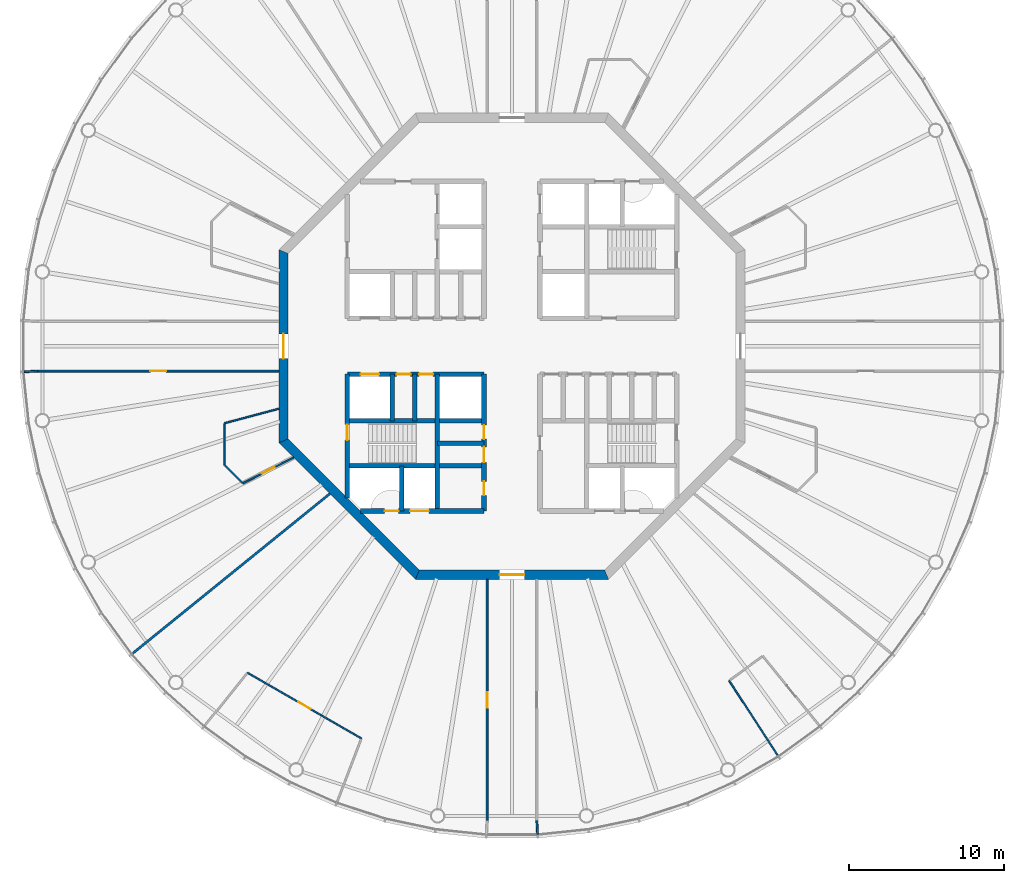
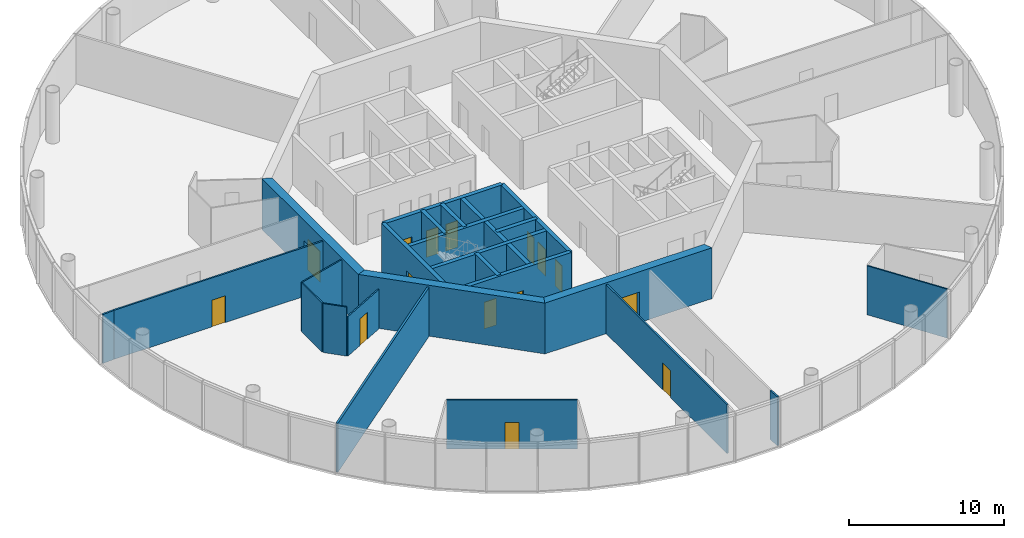
# One storey, part 3 of 13: 25 walls, 15 doors, 15 openings.
"""IFC4 building model written with IfcOpenShell, lengths in metres."""

from ifc_helpers import new_model, si_unit, direction, frame, frame_2d, origin, place, context, subcontext, project, spatial, polyline, rectangle, outline, extrude, material, layer, layer_set, type_object, element, fill, save


model = new_model("IFC4")

# Units and contexts
model_context = context("Model", 3, precision=1e-05, world=origin(), true_north=direction((0.0, 1.0)))
body_context = subcontext(model_context, "Body", "Model", "MODEL_VIEW")
ifc_project = project(units=[si_unit("LENGTHUNIT", "METRE"), si_unit("AREAUNIT", "SQUARE_METRE"), si_unit("VOLUMEUNIT", "CUBIC_METRE"), si_unit("PLANEANGLEUNIT", "RADIAN"), si_unit("MASSUNIT", "GRAM", prefix="KILO")], contexts=[model_context])

# Site, building, storey
site_placement = place(None, origin())
site = spatial("IfcSite", under=ifc_project, at=site_placement, CompositionType="ELEMENT")
building_placement = place(site_placement, origin())
building = spatial("IfcBuilding", under=site, at=building_placement, Name="Entoto Ring Tower", CompositionType="ELEMENT")
storey_placement = place(building_placement, frame((0.0, 0.0, 344.0)))
storey = spatial("IfcBuildingStorey", under=building, at=storey_placement, Name="L79", CompositionType="ELEMENT", Elevation=344.0)

# Wall, openings, doors
ifc_material_1 = material(Name="Concrete C40/50", Category="concrete")
ifc_layer_1 = layer(ifc_material_1, 0.300048828125)
ifc_layer_set_1 = layer_set([ifc_layer_1], Name="Concrete C40/50")
wall_type_1 = type_object("IfcWallType", Name="Core enclosure wall 300 mm reinforced concrete", PredefinedType="SOLIDWALL", material=ifc_layer_set_1)
wall_1_placement = place(storey_placement, frame((88.199951171875, 69.39990234375, 0.0), z_axis=(0.0, 0.0, 1.0), x_axis=(0.0, 1.0, 0.0)))
wall_1 = element("IfcWall", 1, at=wall_1_placement, inside=storey, type_object=wall_type_1, Name="wall-L79-013", PredefinedType="SOLIDWALL", context=body_context, shape_type="SweptSolid", body=[
    extrude(rectangle(XDim=8.800048828125, YDim=0.300048828125, at=frame_2d((4.39990234375, 0.0))), origin(), (0.0, 0.0, 1.0), 3.85009765625),
])
opening_1_placement = place(wall_1_placement, frame((3.125, 0.0, 0.0)))
opening_1 = element("IfcOpeningElement", 2, at=opening_1_placement, cuts=wall_1, Name="Opening K-70", PredefinedType="OPENING", context=body_context, shape_type="SweptSolid", body=[
    extrude(rectangle(XDim=1.0, YDim=2.10009765625, at=frame_2d((0.5, 1.050048828125))), frame((0.0, 0.16015625, 0.0), z_axis=(0.0, -1.0, 0.0), x_axis=(1.0, 0.0, 0.0)), (0.0, 0.0, 1.0), 0.320068359375),
])
opening_2_placement = place(wall_1_placement, frame((4.625, 0.0, 0.0)))
opening_2 = element("IfcOpeningElement", 3, at=opening_2_placement, cuts=wall_1, Name="Opening K-71", PredefinedType="OPENING", context=body_context, shape_type="SweptSolid", body=[
    extrude(rectangle(XDim=0.89990234375, YDim=2.10009765625, at=frame_2d((0.449951171875, 1.050048828125))), frame((0.0, 0.16015625, 0.0), z_axis=(0.0, -1.0, 0.0), x_axis=(1.0, 0.0, 0.0)), (0.0, 0.0, 1.0), 0.320068359375),
])
opening_3_placement = place(wall_1_placement, frame((1.0, 0.0, 0.0)))
opening_3 = element("IfcOpeningElement", 4, at=opening_3_placement, cuts=wall_1, Name="Opening K-24", PredefinedType="OPENING", context=body_context, shape_type="SweptSolid", body=[
    extrude(rectangle(XDim=0.89990234375, YDim=2.10009765625, at=frame_2d((0.449951171875, 1.050048828125))), frame((0.0, 0.16015625, 0.0), z_axis=(0.0, -1.0, 0.0), x_axis=(1.0, 0.0, 0.0)), (0.0, 0.0, 1.0), 0.320068359375),
])
ifc_material_2 = material(Name="Steel door leaf, fire rated", Category="steel")
ifc_layer_2 = layer(ifc_material_2, 0.050048828125)
ifc_layer_set_2 = layer_set([ifc_layer_2], Name="Steel door leaf, fire rated")
door_type_1 = type_object("IfcDoorType", Name="Accessible door 1000 x 2100 single leaf", OperationType="NOTDEFINED", PredefinedType="DOOR", material=ifc_layer_set_2)
door_1_placement = place(opening_1_placement, origin())
door_1 = element("IfcDoor", 5, at=door_1_placement, inside=storey, type_object=door_type_1, Name="Door K-70", OperationType="SINGLE_SWING_RIGHT", OverallHeight=2.10009765625, OverallWidth=1.0, PredefinedType="DOOR", context=body_context, shape_type="SweptSolid", body=[
    extrude(rectangle(XDim=1.0, YDim=2.10009765625, at=frame_2d((0.5, 1.050048828125))), frame((0.0, 0.02490234375, 0.0), z_axis=(0.0, -1.0, 0.0), x_axis=(1.0, 0.0, 0.0)), (0.0, 0.0, 1.0), 0.050048828125),
])
fill(opening_1, door_1)
ifc_material_3 = material(Name="Steel door leaf, fire rated", Category="steel")
ifc_layer_3 = layer(ifc_material_3, 0.050048828125)
ifc_layer_set_3 = layer_set([ifc_layer_3], Name="Steel door leaf, fire rated")
door_type_2 = type_object("IfcDoorType", Name="Core door 900 x 2100 single leaf", OperationType="NOTDEFINED", PredefinedType="DOOR", material=ifc_layer_set_3)
door_2_placement = place(opening_2_placement, origin())
door_2 = element("IfcDoor", 6, at=door_2_placement, inside=storey, type_object=door_type_2, Name="Door K-71", OperationType="SINGLE_SWING_RIGHT", OverallHeight=2.10009765625, OverallWidth=0.89990234375, PredefinedType="DOOR", context=body_context, shape_type="SweptSolid", body=[
    extrude(rectangle(XDim=0.89990234375, YDim=2.10009765625, at=frame_2d((0.449951171875, 1.050048828125))), frame((0.0, 0.02490234375, 0.0), z_axis=(0.0, -1.0, 0.0), x_axis=(1.0, 0.0, 0.0)), (0.0, 0.0, 1.0), 0.050048828125),
])
fill(opening_2, door_2)
door_3_placement = place(opening_3_placement, origin())
door_3 = element("IfcDoor", 7, at=door_3_placement, inside=storey, type_object=door_type_2, Name="Door K-24", OperationType="SINGLE_SWING_RIGHT", OverallHeight=2.10009765625, OverallWidth=0.89990234375, PredefinedType="DOOR", context=body_context, shape_type="SweptSolid", body=[
    extrude(rectangle(XDim=0.89990234375, YDim=2.10009765625, at=frame_2d((0.449951171875, 1.050048828125))), frame((0.0, 0.02490234375, 0.0), z_axis=(0.0, -1.0, 0.0), x_axis=(1.0, 0.0, 0.0)), (0.0, 0.0, 1.0), 0.050048828125),
])
fill(opening_3, door_3)

# Walls
wall_2_placement = place(storey_placement, frame((85.199951171875, 69.39990234375, 0.0), z_axis=(0.0, 0.0, 1.0), x_axis=(0.0, 1.0, 0.0)))
element("IfcWall", 8, at=wall_2_placement, inside=storey, type_object=wall_type_1, Name="wall-L79-016", PredefinedType="SOLIDWALL", context=body_context, shape_type="SweptSolid", body=[
    extrude(rectangle(XDim=8.800048828125, YDim=0.300048828125, at=frame_2d((4.39990234375, 0.0))), origin(), (0.0, 0.0, 1.0), 3.85009765625),
])
wall_3_placement = place(storey_placement, frame((83.75, 75.199951171875, 0.0), z_axis=(0.0, 0.0, 1.0), x_axis=(0.0, 1.0, 0.0)))
element("IfcWall", 9, at=wall_3_placement, inside=storey, type_object=wall_type_1, Name="wall-L79-018", PredefinedType="SOLIDWALL", context=body_context, shape_type="SweptSolid", body=[
    extrude(rectangle(XDim=3.0, YDim=0.300048828125, at=frame_2d((1.5, 0.0))), origin(), (0.0, 0.0, 1.0), 3.85009765625),
])
wall_4_placement = place(storey_placement, frame((82.89990234375, 69.39990234375, 0.0), z_axis=(0.0, 0.0, 1.0), x_axis=(0.0, 1.0, 0.0)))
element("IfcWall", 10, at=wall_4_placement, inside=storey, type_object=wall_type_1, Name="wall-L79-020", PredefinedType="SOLIDWALL", context=body_context, shape_type="SweptSolid", body=[
    extrude(rectangle(XDim=2.900146484375, YDim=0.300048828125, at=frame_2d((1.4501953125, 0.0))), origin(), (0.0, 0.0, 1.0), 3.85009765625),
])
wall_5_placement = place(storey_placement, frame((82.300048828125, 75.199951171875, 0.0), z_axis=(0.0, 0.0, 1.0), x_axis=(0.0, 1.0, 0.0)))
element("IfcWall", 11, at=wall_5_placement, inside=storey, type_object=wall_type_1, Name="wall-L79-021", PredefinedType="SOLIDWALL", context=body_context, shape_type="SweptSolid", body=[
    extrude(rectangle(XDim=3.0, YDim=0.300048828125, at=frame_2d((1.5, 0.0))), origin(), (0.0, 0.0, 1.0), 3.85009765625),
])

# Wall, opening, door
wall_6_placement = place(storey_placement, frame((79.39990234375, 70.2353515625, 0.0), z_axis=(0.0, 0.0, 1.0), x_axis=(0.0, 1.0, 0.0)))
wall_6 = element("IfcWall", 12, at=wall_6_placement, inside=storey, type_object=wall_type_1, Name="wall-L79-023", PredefinedType="SOLIDWALL", context=body_context, shape_type="SweptSolid", body=[
    extrude(rectangle(XDim=7.964599609375, YDim=0.300048828125, at=frame_2d((3.982421875, 0.0))), origin(), (0.0, 0.0, 1.0), 3.85009765625),
])
opening_4_placement = place(wall_6_placement, frame((3.714599609375, 0.0, 0.0)))
opening_4 = element("IfcOpeningElement", 13, at=opening_4_placement, cuts=wall_6, Name="Opening K-30", PredefinedType="OPENING", context=body_context, shape_type="SweptSolid", body=[
    extrude(rectangle(XDim=1.0, YDim=2.10009765625, at=frame_2d((0.5, 1.050048828125))), frame((0.0, 0.16015625, 0.0), z_axis=(0.0, -1.0, 0.0), x_axis=(1.0, 0.0, 0.0)), (0.0, 0.0, 1.0), 0.320068359375),
])
ifc_material_4 = material(Name="Steel door leaf, fire rated", Category="steel")
ifc_layer_4 = layer(ifc_material_4, 0.050048828125)
ifc_layer_set_4 = layer_set([ifc_layer_4], Name="Steel door leaf, fire rated")
door_type_3 = type_object("IfcDoorType", Name="Fire door FD60 1000 x 2100 single leaf", OperationType="NOTDEFINED", PredefinedType="DOOR", material=ifc_layer_set_4)
door_4_placement = place(opening_4_placement, frame((1.0, 0.0, 0.0), z_axis=(0.0, 0.0, 1.0), x_axis=(-1.0, 0.0, 0.0)))
door_4 = element("IfcDoor", 14, at=door_4_placement, inside=storey, type_object=door_type_3, Name="Door K-30", OperationType="SINGLE_SWING_LEFT", OverallHeight=2.10009765625, OverallWidth=1.0, PredefinedType="DOOR", context=body_context, shape_type="SweptSolid", body=[
    extrude(rectangle(XDim=1.0, YDim=2.10009765625, at=frame_2d((0.5, 1.050048828125))), frame((0.0, 0.02490234375, 0.0), z_axis=(0.0, -1.0, 0.0), x_axis=(1.0, 0.0, 0.0)), (0.0, 0.0, 1.0), 0.050048828125),
])
fill(opening_4, door_4)

# Wall, openings, doors
wall_7_placement = place(storey_placement, frame((80.2353515625, 69.39990234375, 0.0), z_axis=(0.0, 0.0, 1.0), x_axis=(1.0, 0.0, 0.0)))
wall_7 = element("IfcWall", 15, at=wall_7_placement, inside=storey, type_object=wall_type_1, Name="wall-L79-025", PredefinedType="SOLIDWALL", context=body_context, shape_type="SweptSolid", body=[
    extrude(rectangle(XDim=7.964599609375, YDim=0.300048828125, at=frame_2d((3.982421875, 0.0))), origin(), (0.0, 0.0, 1.0), 3.85009765625),
])
opening_5_placement = place(wall_7_placement, frame((3.214599609375, 0.0, 0.0)))
opening_5 = element("IfcOpeningElement", 16, at=opening_5_placement, cuts=wall_7, Name="Opening LD", PredefinedType="OPENING", context=body_context, shape_type="SweptSolid", body=[
    extrude(rectangle(XDim=1.199951171875, YDim=2.10009765625, at=frame_2d((0.60009765625, 1.050048828125))), frame((0.0, 0.16015625, 0.0), z_axis=(0.0, -1.0, 0.0), x_axis=(1.0, 0.0, 0.0)), (0.0, 0.0, 1.0), 0.320068359375),
])
opening_6_placement = place(wall_7_placement, frame((1.564697265625, 0.0, 0.0)))
opening_6 = element("IfcOpeningElement", 17, at=opening_6_placement, cuts=wall_7, Name="Opening K-33", PredefinedType="OPENING", context=body_context, shape_type="SweptSolid", body=[
    extrude(rectangle(XDim=0.89990234375, YDim=2.10009765625, at=frame_2d((0.449951171875, 1.050048828125))), frame((0.0, 0.16015625, 0.0), z_axis=(0.0, -1.0, 0.0), x_axis=(1.0, 0.0, 0.0)), (0.0, 0.0, 1.0), 0.320068359375),
])
ifc_material_5 = material(Name="Steel and glass door leaf", Category="steel")
ifc_layer_5 = layer(ifc_material_5, 0.050048828125)
ifc_layer_set_5 = layer_set([ifc_layer_5], Name="Steel and glass door leaf")
door_type_4 = type_object("IfcDoorType", Name="Landing door 1200 x 2100 sliding", OperationType="DOUBLE_DOOR_SLIDING", PredefinedType="DOOR", material=ifc_layer_set_5)
door_5_placement = place(opening_5_placement, origin())
door_5 = element("IfcDoor", 18, at=door_5_placement, inside=storey, type_object=door_type_4, Name="Landing door LB3-HR", OperationType="SLIDING_TO_RIGHT", OverallHeight=2.10009765625, OverallWidth=1.199951171875, PredefinedType="DOOR", context=body_context, shape_type="SweptSolid", body=[
    extrude(rectangle(XDim=1.199951171875, YDim=2.10009765625, at=frame_2d((0.60009765625, 1.050048828125))), frame((0.0, 0.02490234375, 0.0), z_axis=(0.0, -1.0, 0.0), x_axis=(1.0, 0.0, 0.0)), (0.0, 0.0, 1.0), 0.050048828125),
])
fill(opening_5, door_5)
ifc_material_6 = material(Name="Steel door leaf, fire rated", Category="steel")
ifc_layer_6 = layer(ifc_material_6, 0.050048828125)
ifc_layer_set_6 = layer_set([ifc_layer_6], Name="Steel door leaf, fire rated")
door_type_5 = type_object("IfcDoorType", Name="Riser door FD60 900 x 2100 single leaf", OperationType="NOTDEFINED", PredefinedType="DOOR", material=ifc_layer_set_6)
door_6_placement = place(opening_6_placement, origin())
door_6 = element("IfcDoor", 19, at=door_6_placement, inside=storey, type_object=door_type_5, Name="Door K-33", OperationType="SINGLE_SWING_RIGHT", OverallHeight=2.10009765625, OverallWidth=0.89990234375, PredefinedType="DOOR", context=body_context, shape_type="SweptSolid", body=[
    extrude(rectangle(XDim=0.89990234375, YDim=2.10009765625, at=frame_2d((0.449951171875, 1.050048828125))), frame((0.0, 0.02490234375, 0.0), z_axis=(0.0, -1.0, 0.0), x_axis=(1.0, 0.0, 0.0)), (0.0, 0.0, 1.0), 0.050048828125),
])
fill(opening_6, door_6)

# Walls
wall_8_placement = place(storey_placement, frame((79.39990234375, 72.300048828125, 0.0), z_axis=(0.0, 0.0, 1.0), x_axis=(1.0, 0.0, 0.0)))
element("IfcWall", 20, at=wall_8_placement, inside=storey, type_object=wall_type_1, Name="wall-L79-027", PredefinedType="SOLIDWALL", context=body_context, shape_type="SweptSolid", body=[
    extrude(rectangle(XDim=8.800048828125, YDim=0.300048828125, at=frame_2d((4.39990234375, 0.0))), origin(), (0.0, 0.0, 1.0), 3.85009765625),
])
wall_9_placement = place(storey_placement, frame((85.199951171875, 73.75, 0.0), z_axis=(0.0, 0.0, 1.0), x_axis=(1.0, 0.0, 0.0)))
element("IfcWall", 21, at=wall_9_placement, inside=storey, type_object=wall_type_1, Name="wall-L79-029", PredefinedType="SOLIDWALL", context=body_context, shape_type="SweptSolid", body=[
    extrude(rectangle(XDim=3.0, YDim=0.300048828125, at=frame_2d((1.5, 0.0))), origin(), (0.0, 0.0, 1.0), 3.85009765625),
])
wall_10_placement = place(storey_placement, frame((79.39990234375, 75.199951171875, 0.0), z_axis=(0.0, 0.0, 1.0), x_axis=(1.0, 0.0, 0.0)))
element("IfcWall", 22, at=wall_10_placement, inside=storey, type_object=wall_type_1, Name="wall-L79-030", PredefinedType="SOLIDWALL", context=body_context, shape_type="SweptSolid", body=[
    extrude(rectangle(XDim=8.800048828125, YDim=0.300048828125, at=frame_2d((4.39990234375, 0.0))), origin(), (0.0, 0.0, 1.0), 3.85009765625),
])

# Wall, openings, doors
wall_11_placement = place(storey_placement, frame((79.39990234375, 78.199951171875, 0.0), z_axis=(0.0, 0.0, 1.0), x_axis=(1.0, 0.0, 0.0)))
wall_11 = element("IfcWall", 23, at=wall_11_placement, inside=storey, type_object=wall_type_1, Name="wall-L79-032", PredefinedType="SOLIDWALL", context=body_context, shape_type="SweptSolid", body=[
    extrude(rectangle(XDim=8.800048828125, YDim=0.300048828125, at=frame_2d((4.39990234375, 0.0))), origin(), (0.0, 0.0, 1.0), 3.85009765625),
])
opening_7_placement = place(wall_11_placement, frame((0.85009765625, 0.0, 0.0)))
opening_7 = element("IfcOpeningElement", 24, at=opening_7_placement, cuts=wall_11, Name="Opening LD", PredefinedType="OPENING", context=body_context, shape_type="SweptSolid", body=[
    extrude(rectangle(XDim=1.199951171875, YDim=2.10009765625, at=frame_2d((0.60009765625, 1.050048828125))), frame((0.0, 0.16015625, 0.0), z_axis=(0.0, -1.0, 0.0), x_axis=(1.0, 0.0, 0.0)), (0.0, 0.0, 1.0), 0.320068359375),
])
opening_8_placement = place(wall_11_placement, frame((3.175048828125, 0.0, 0.0)))
opening_8 = element("IfcOpeningElement", 25, at=opening_8_placement, cuts=wall_11, Name="Opening K-18", PredefinedType="OPENING", context=body_context, shape_type="SweptSolid", body=[
    extrude(rectangle(XDim=0.89990234375, YDim=2.10009765625, at=frame_2d((0.449951171875, 1.050048828125))), frame((0.0, 0.16015625, 0.0), z_axis=(0.0, -1.0, 0.0), x_axis=(1.0, 0.0, 0.0)), (0.0, 0.0, 1.0), 0.320068359375),
])
opening_9_placement = place(wall_11_placement, frame((4.625, 0.0, 0.0)))
opening_9 = element("IfcOpeningElement", 26, at=opening_9_placement, cuts=wall_11, Name="Opening K-19", PredefinedType="OPENING", context=body_context, shape_type="SweptSolid", body=[
    extrude(rectangle(XDim=0.89990234375, YDim=2.10009765625, at=frame_2d((0.449951171875, 1.050048828125))), frame((0.0, 0.16015625, 0.0), z_axis=(0.0, -1.0, 0.0), x_axis=(1.0, 0.0, 0.0)), (0.0, 0.0, 1.0), 0.320068359375),
])
door_7_placement = place(opening_8_placement, frame((0.89990234375, 0.0, 0.0), z_axis=(0.0, 0.0, 1.0), x_axis=(-1.0, 0.0, 0.0)))
door_7 = element("IfcDoor", 27, at=door_7_placement, inside=storey, type_object=door_type_2, Name="Door K-18", OperationType="SINGLE_SWING_LEFT", OverallHeight=2.10009765625, OverallWidth=0.89990234375, PredefinedType="DOOR", context=body_context, shape_type="SweptSolid", body=[
    extrude(rectangle(XDim=0.89990234375, YDim=2.10009765625, at=frame_2d((0.449951171875, 1.050048828125))), frame((0.0, 0.02490234375, 0.0), z_axis=(0.0, -1.0, 0.0), x_axis=(1.0, 0.0, 0.0)), (0.0, 0.0, 1.0), 0.050048828125),
])
fill(opening_8, door_7)
door_8_placement = place(opening_9_placement, frame((0.89990234375, 0.0, 0.0), z_axis=(0.0, 0.0, 1.0), x_axis=(-1.0, 0.0, 0.0)))
door_8 = element("IfcDoor", 28, at=door_8_placement, inside=storey, type_object=door_type_2, Name="Door K-19", OperationType="SINGLE_SWING_LEFT", OverallHeight=2.10009765625, OverallWidth=0.89990234375, PredefinedType="DOOR", context=body_context, shape_type="SweptSolid", body=[
    extrude(rectangle(XDim=0.89990234375, YDim=2.10009765625, at=frame_2d((0.449951171875, 1.050048828125))), frame((0.0, 0.02490234375, 0.0), z_axis=(0.0, -1.0, 0.0), x_axis=(1.0, 0.0, 0.0)), (0.0, 0.0, 1.0), 0.050048828125),
])
fill(opening_9, door_8)
door_9_placement = place(opening_7_placement, origin())
door_9 = element("IfcDoor", 29, at=door_9_placement, inside=storey, type_object=door_type_4, Name="Landing door SH2", OperationType="SLIDING_TO_RIGHT", OverallHeight=2.10009765625, OverallWidth=1.199951171875, PredefinedType="DOOR", context=body_context, shape_type="SweptSolid", body=[
    extrude(rectangle(XDim=1.199951171875, YDim=2.10009765625, at=frame_2d((0.60009765625, 1.050048828125))), frame((0.0, 0.02490234375, 0.0), z_axis=(0.0, -1.0, 0.0), x_axis=(1.0, 0.0, 0.0)), (0.0, 0.0, 1.0), 0.050048828125),
])
fill(opening_7, door_9)

# Wall, opening, door
ifc_material_7 = material(Name="Concrete C40/50", Category="concrete")
ifc_layer_7 = layer(ifc_material_7, 0.60009765625)
ifc_layer_set_7 = layer_set([ifc_layer_7], Name="Concrete C40/50")
wall_type_2 = type_object("IfcWallType", Name="Core shear wall 600 mm reinforced concrete C40/50", PredefinedType="SHEAR", material=ifc_layer_set_7)
wall_12_placement = place(storey_placement, frame((75.300048828125, 86.0888671875, 0.0), z_axis=(0.0, 0.0, 1.0), x_axis=(0.0, -1.0, 0.0)))
wall_12 = element("IfcWall", 30, at=wall_12_placement, inside=storey, type_object=wall_type_2, Name="wall-L79-core-4", PredefinedType="SHEAR", context=body_context, shape_type="SweptSolid", body=[
    extrude(outline(polyline([(-0.124267578125, -0.300048828125), (12.302001953125, -0.300048828125), (12.053466796875, 0.300048828125), (0.124267578125, 0.300048828125), (-0.124267578125, -0.300048828125)])), origin(), (0.0, 0.0, 1.0), 4.0),
])
opening_10_placement = place(wall_12_placement, frame((5.288818359375, 0.0, 0.0)))
opening_10 = element("IfcOpeningElement", 31, at=opening_10_placement, cuts=wall_12, Name="Opening K-03", PredefinedType="OPENING", context=body_context, shape_type="SweptSolid", body=[
    extrude(rectangle(XDim=1.60009765625, YDim=2.39990234375, at=frame_2d((0.800048828125, 1.199951171875))), frame((0.0, 0.31005859375, 0.0), z_axis=(0.0, -1.0, 0.0), x_axis=(1.0, 0.0, 0.0)), (0.0, 0.0, 1.0), 0.6201171875),
])
ifc_material_8 = material(Name="Steel door leaf, fire rated", Category="steel")
ifc_layer_8 = layer(ifc_material_8, 0.050048828125)
ifc_layer_set_8 = layer_set([ifc_layer_8], Name="Steel door leaf, fire rated")
door_type_6 = type_object("IfcDoorType", Name="Entrance door FD60 1600 x 2400 double leaf", OperationType="DOUBLE_DOOR_SINGLE_SWING", PredefinedType="DOOR", material=ifc_layer_set_8)
door_10_placement = place(opening_10_placement, origin())
door_10 = element("IfcDoor", 32, at=door_10_placement, inside=storey, type_object=door_type_6, Name="Entrance door K-03", OperationType="DOUBLE_DOOR_SINGLE_SWING", OverallHeight=2.39990234375, OverallWidth=1.60009765625, PredefinedType="DOOR", context=body_context, shape_type="SweptSolid", body=[
    extrude(rectangle(XDim=1.60009765625, YDim=2.39990234375, at=frame_2d((0.800048828125, 1.199951171875))), frame((0.0, 0.02490234375, 0.0), z_axis=(0.0, -1.0, 0.0), x_axis=(1.0, 0.0, 0.0)), (0.0, 0.0, 1.0), 0.050048828125),
])
fill(opening_10, door_10)

# Wall
wall_13_placement = place(storey_placement, frame((75.300048828125, 73.9111328125, 0.0), z_axis=(0.0, 0.0, 1.0), x_axis=(0.707106781187, -0.707106781187, 0.0)))
element("IfcWall", 33, at=wall_13_placement, inside=storey, type_object=wall_type_2, Name="wall-L79-core-5", PredefinedType="SHEAR", context=body_context, shape_type="SweptSolid", body=[
    extrude(outline(polyline([(-0.124267578125, -0.300048828125), (12.30224609375, -0.300048828125), (12.0537109375, 0.300048828125), (0.124267578125, 0.300048828125), (-0.124267578125, -0.300048828125)])), origin(), (0.0, 0.0, 1.0), 4.0),
])

# Wall, opening, door
wall_14_placement = place(storey_placement, frame((83.9111328125, 65.300048828125, 0.0), z_axis=(0.0, 0.0, 1.0), x_axis=(1.0, 0.0, 0.0)))
wall_14 = element("IfcWall", 34, at=wall_14_placement, inside=storey, type_object=wall_type_2, Name="wall-L79-core-6", PredefinedType="SHEAR", context=body_context, shape_type="SweptSolid", body=[
    extrude(outline(polyline([(-0.124267578125, -0.300048828125), (12.302001953125, -0.300048828125), (12.053466796875, 0.300048828125), (0.124267578125, 0.300048828125), (-0.124267578125, -0.300048828125)])), origin(), (0.0, 0.0, 1.0), 4.0),
])
opening_11_placement = place(wall_14_placement, frame((5.288818359375, 0.0, 0.0)))
opening_11 = element("IfcOpeningElement", 35, at=opening_11_placement, cuts=wall_14, Name="Opening K-04", PredefinedType="OPENING", context=body_context, shape_type="SweptSolid", body=[
    extrude(rectangle(XDim=1.60009765625, YDim=2.39990234375, at=frame_2d((0.800048828125, 1.199951171875))), frame((0.0, 0.31005859375, 0.0), z_axis=(0.0, -1.0, 0.0), x_axis=(1.0, 0.0, 0.0)), (0.0, 0.0, 1.0), 0.6201171875),
])
door_11_placement = place(opening_11_placement, origin())
door_11 = element("IfcDoor", 36, at=door_11_placement, inside=storey, type_object=door_type_6, Name="Entrance door K-04", OperationType="DOUBLE_DOOR_SINGLE_SWING", OverallHeight=2.39990234375, OverallWidth=1.60009765625, PredefinedType="DOOR", context=body_context, shape_type="SweptSolid", body=[
    extrude(rectangle(XDim=1.60009765625, YDim=2.39990234375, at=frame_2d((0.800048828125, 1.199951171875))), frame((0.0, 0.02490234375, 0.0), z_axis=(0.0, -1.0, 0.0), x_axis=(1.0, 0.0, 0.0)), (0.0, 0.0, 1.0), 0.050048828125),
])
fill(opening_11, door_11)

ifc_material_9 = material(Name="Fire-resisting plasterboard on steel studs", Category="steel")
ifc_layer_9 = layer(ifc_material_9, 0.125)
ifc_layer_set_9 = layer_set([ifc_layer_9], Name="Fire-resisting plasterboard on steel studs")
wall_type_3 = type_object("IfcWallType", Name="Corridor wall 125 mm one-hour plasterboard on steel studs", PredefinedType="PARTITIONING", material=ifc_layer_set_9)
wall_15_placement = place(storey_placement, frame((59.47021484375, 78.39990234375, 0.0), z_axis=(0.0, 0.0, 1.0), x_axis=(1.0, 0.0, 0.0)))
wall_15 = element("IfcWall", 37, at=wall_15_placement, inside=storey, type_object=wall_type_3, Name="partition-L79-001", PredefinedType="PARTITIONING", context=body_context, shape_type="SweptSolid", body=[
    extrude(rectangle(XDim=15.52978515625, YDim=0.125, at=frame_2d((7.764892578125, 0.0))), origin(), (0.0, 0.0, 1.0), 3.85009765625),
])
opening_12_placement = place(wall_15_placement, frame((7.264892578125, 0.0, 0.0)))
opening_12 = element("IfcOpeningElement", 38, at=opening_12_placement, cuts=wall_15, Name="Opening A34-D08", PredefinedType="OPENING", context=body_context, shape_type="SweptSolid", body=[
    extrude(rectangle(XDim=1.0, YDim=2.10009765625, at=frame_2d((0.5, 1.050048828125))), frame((0.0, 0.072509765625, 0.0), z_axis=(0.0, -1.0, 0.0), x_axis=(1.0, 0.0, 0.0)), (0.0, 0.0, 1.0), 0.14501953125),
])
ifc_material_10 = material(Name="Fire-resisting timber door set", Category="wood")
door_type_7 = type_object("IfcDoorType", Name="Door 1000 x 2100 single leaf FD30S fire door", OperationType="NOTDEFINED", PredefinedType="DOOR", material=ifc_material_10)
door_12_placement = place(opening_12_placement, frame((1.0, 0.0, 0.0), z_axis=(0.0, 0.0, 1.0), x_axis=(-1.0, 0.0, 0.0)))
door_12 = element("IfcDoor", 39, at=door_12_placement, inside=storey, type_object=door_type_7, Name="Door A34-D08", OperationType="SINGLE_SWING_LEFT", OverallHeight=2.10009765625, OverallWidth=1.0, PredefinedType="DOOR", context=body_context, shape_type="SweptSolid", body=[
    extrude(rectangle(XDim=1.0, YDim=2.10009765625, at=frame_2d((0.5, 1.050048828125))), frame((0.0, 0.02490234375, 0.0), z_axis=(0.0, -1.0, 0.0), x_axis=(1.0, 0.0, 0.0)), (0.0, 0.0, 1.0), 0.050048828125),
])
fill(opening_12, door_12)

wall_16_placement = place(storey_placement, frame((88.39990234375, 49.47021484375, 0.0), z_axis=(0.0, 0.0, 1.0), x_axis=(0.0, 1.0, 0.0)))
wall_16 = element("IfcWall", 40, at=wall_16_placement, inside=storey, type_object=wall_type_3, Name="partition-L79-003", PredefinedType="PARTITIONING", context=body_context, shape_type="SweptSolid", body=[
    extrude(rectangle(XDim=15.52978515625, YDim=0.125, at=frame_2d((7.764892578125, 0.0))), origin(), (0.0, 0.0, 1.0), 3.85009765625),
])
opening_13_placement = place(wall_16_placement, frame((7.264892578125, 0.0, 0.0)))
opening_13 = element("IfcOpeningElement", 41, at=opening_13_placement, cuts=wall_16, Name="Opening A34-D10", PredefinedType="OPENING", context=body_context, shape_type="SweptSolid", body=[
    extrude(rectangle(XDim=1.0, YDim=2.10009765625, at=frame_2d((0.5, 1.050048828125))), frame((0.0, 0.072509765625, 0.0), z_axis=(0.0, -1.0, 0.0), x_axis=(1.0, 0.0, 0.0)), (0.0, 0.0, 1.0), 0.14501953125),
])
door_13_placement = place(opening_13_placement, origin())
door_13 = element("IfcDoor", 42, at=door_13_placement, inside=storey, type_object=door_type_7, Name="Door A34-D10", OperationType="SINGLE_SWING_RIGHT", OverallHeight=2.10009765625, OverallWidth=1.0, PredefinedType="DOOR", context=body_context, shape_type="SweptSolid", body=[
    extrude(rectangle(XDim=1.0, YDim=2.10009765625, at=frame_2d((0.5, 1.050048828125))), frame((0.0, 0.02490234375, 0.0), z_axis=(0.0, -1.0, 0.0), x_axis=(1.0, 0.0, 0.0)), (0.0, 0.0, 1.0), 0.050048828125),
])
fill(opening_13, door_13)

# Walls
for number, where, z_axis, x_axis, name in (
    (43, (58.60302734375, 78.3544921875, 0.0), (0.0, 0.0, 1.0), (0.998620946423, 0.052499574911, 0.0), "partition-L79-009"),
    (44, (91.6455078125, 48.60302734375, 0.0), (0.0, 0.0, 1.0), (-0.052499574911, 0.998620946423, 0.0), "partition-L79-014"),
):
    element("IfcWall", number, at=place(storey_placement, frame(where, z_axis=z_axis, x_axis=x_axis)), inside=storey, type_object=wall_type_3, Name=name, PredefinedType="PARTITIONING", context=body_context, shape_type="SweptSolid", body=[
        extrude(rectangle(XDim=0.864990234375, YDim=0.125, at=frame_2d((0.4326171875, 0.0))), origin(), (0.0, 0.0, 1.0), 3.85009765625),
    ])

# Wall, opening, door
ifc_material_11 = material(Name="Plasterboard on steel studs", Category="steel")
ifc_layer_10 = layer(ifc_material_11, 0.10009765625)
ifc_layer_set_10 = layer_set([ifc_layer_10], Name="Plasterboard on steel studs")
wall_type_4 = type_object("IfcWallType", Name="Partition 100 mm plasterboard on steel studs", PredefinedType="PARTITIONING", material=ifc_layer_set_10)
wall_17_placement = place(storey_placement, frame((80.309814453125, 54.756103515625, 0.0), z_axis=(0.0, 0.0, 1.0), x_axis=(-0.866028922334, 0.499993905644, 0.0)))
wall_17 = element("IfcWall", 45, at=wall_17_placement, inside=storey, type_object=wall_type_4, Name="partition-L79-021", PredefinedType="PARTITIONING", context=body_context, shape_type="SweptSolid", body=[
    extrude(rectangle(XDim=8.4599609375, YDim=0.10009765625, at=frame_2d((4.22998046875, 0.0))), origin(), (0.0, 0.0, 1.0), 3.85009765625),
])
opening_14_placement = place(wall_17_placement, frame((3.780029296875, 0.0, 0.0)))
opening_14 = element("IfcOpeningElement", 46, at=opening_14_placement, cuts=wall_17, Name="Opening A34-D11", PredefinedType="OPENING", context=body_context, shape_type="SweptSolid", body=[
    extrude(rectangle(XDim=0.89990234375, YDim=2.10009765625, at=frame_2d((0.449951171875, 1.050048828125))), frame((0.0, 0.06005859375, 0.0), z_axis=(0.0, -1.0, 0.0), x_axis=(1.0, 0.0, 0.0)), (0.0, 0.0, 1.0), 0.1201171875),
])
ifc_material_12 = material(Name="Veneered timber door leaf in timber frame", Category="wood")
door_type_8 = type_object("IfcDoorType", Name="Door 900 x 2100 single leaf timber veneer", OperationType="NOTDEFINED", PredefinedType="DOOR", material=ifc_material_12)
door_14_placement = place(opening_14_placement, origin())
door_14 = element("IfcDoor", 47, at=door_14_placement, inside=storey, type_object=door_type_8, Name="Door A34-D11", OperationType="SINGLE_SWING_RIGHT", OverallHeight=2.10009765625, OverallWidth=0.89990234375, PredefinedType="DOOR", context=body_context, shape_type="SweptSolid", body=[
    extrude(rectangle(XDim=0.89990234375, YDim=2.10009765625, at=frame_2d((0.449951171875, 1.050048828125))), frame((0.0, 0.02490234375, 0.0), z_axis=(0.0, -1.0, 0.0), x_axis=(1.0, 0.0, 0.0)), (0.0, 0.0, 1.0), 0.050048828125),
])
fill(opening_14, door_14)

# Walls
wall_18_placement = place(storey_placement, frame((107.12353515625, 53.632080078125, 0.0), z_axis=(0.0, 0.0, 1.0), x_axis=(-0.544649814042, 0.838663567865, 0.0)))
element("IfcWall", 48, at=wall_18_placement, inside=storey, type_object=wall_type_4, Name="partition-L79-023", PredefinedType="PARTITIONING", context=body_context, shape_type="SweptSolid", body=[
    extrude(rectangle(XDim=5.7802734375, YDim=0.10009765625, at=frame_2d((2.89013671875, 0.0))), origin(), (0.0, 0.0, 1.0), 3.85009765625),
])
wall_19_placement = place(storey_placement, frame((71.510009765625, 75.045654296875, 0.0), z_axis=(0.0, 0.0, 1.0), x_axis=(0.965931463292, 0.258798006604, 0.0)))
element("IfcWall", 49, at=wall_19_placement, inside=storey, type_object=wall_type_4, Name="partition-L79-034", PredefinedType="PARTITIONING", context=body_context, shape_type="SweptSolid", body=[
    extrude(rectangle(XDim=3.613037109375, YDim=0.10009765625, at=frame_2d((1.806640625, 0.0))), origin(), (0.0, 0.0, 1.0), 3.85009765625),
])
wall_20_placement = place(storey_placement, frame((71.510009765625, 72.34130859375, 0.0), z_axis=(0.0, 0.0, 1.0), x_axis=(0.0, 1.0, 0.0)))
element("IfcWall", 50, at=wall_20_placement, inside=storey, type_object=wall_type_4, Name="partition-L79-039", PredefinedType="PARTITIONING", context=body_context, shape_type="SweptSolid", body=[
    extrude(rectangle(XDim=2.656005859375, YDim=0.10009765625, at=frame_2d((1.328125, 0.0))), origin(), (0.0, 0.0, 1.0), 3.85009765625),
])
wall_21_placement = place(storey_placement, frame((72.643798828125, 71.207275390625, 0.0), z_axis=(0.0, 0.0, 1.0), x_axis=(-0.707028944567, 0.707184609239, 0.0)))
element("IfcWall", 51, at=wall_21_placement, inside=storey, type_object=wall_type_4, Name="partition-L79-045", PredefinedType="PARTITIONING", context=body_context, shape_type="SweptSolid", body=[
    extrude(rectangle(XDim=1.568359375, YDim=0.10009765625, at=frame_2d((0.7841796875, 0.0))), origin(), (0.0, 0.0, 1.0), 3.85009765625),
])

# Wall, opening, door
ifc_material_13 = material(Name="Plasterboard on steel studs", Category="steel")
ifc_layer_11 = layer(ifc_material_13, 0.10009765625)
ifc_layer_set_11 = layer_set([ifc_layer_11], Name="Plasterboard on steel studs")
wall_type_5 = type_object("IfcWallType", Name="Partition 100 mm plasterboard on steel studs, 3097 mm high", PredefinedType="PARTITIONING", material=ifc_layer_set_11)
wall_22_placement = place(storey_placement, frame((72.677490234375, 71.173583984375, 0.0), z_axis=(0.0, 0.0, 1.0), x_axis=(0.89099481201, 0.454013485451, 0.0)))
wall_22 = element("IfcWall", 52, at=wall_22_placement, inside=storey, type_object=wall_type_5, Name="partition-L79-032", PredefinedType="PARTITIONING", context=body_context, shape_type="SweptSolid", body=[
    extrude(rectangle(XDim=3.66943359375, YDim=0.10009765625, at=frame_2d((1.834716796875, 0.0))), origin(), (0.0, 0.0, 1.0), 3.096923828125),
])
opening_15_placement = place(wall_22_placement, frame((1.384765625, 0.0, 0.0)))
opening_15 = element("IfcOpeningElement", 53, at=opening_15_placement, cuts=wall_22, Name="Opening A34-D09", PredefinedType="OPENING", context=body_context, shape_type="SweptSolid", body=[
    extrude(rectangle(XDim=0.89990234375, YDim=2.10009765625, at=frame_2d((0.449951171875, 1.050048828125))), frame((0.0, 0.06005859375, 0.0), z_axis=(0.0, -1.0, 0.0), x_axis=(1.0, 0.0, 0.0)), (0.0, 0.0, 1.0), 0.1201171875),
])
door_15_placement = place(opening_15_placement, origin())
door_15 = element("IfcDoor", 54, at=door_15_placement, inside=storey, type_object=door_type_8, Name="Door A34-D09", OperationType="SINGLE_SWING_RIGHT", OverallHeight=2.10009765625, OverallWidth=0.89990234375, PredefinedType="DOOR", context=body_context, shape_type="SweptSolid", body=[
    extrude(rectangle(XDim=0.89990234375, YDim=2.10009765625, at=frame_2d((0.449951171875, 1.050048828125))), frame((0.0, 0.02490234375, 0.0), z_axis=(0.0, -1.0, 0.0), x_axis=(1.0, 0.0, 0.0)), (0.0, 0.0, 1.0), 0.050048828125),
])
fill(opening_15, door_15)

# Wall
ifc_material_14 = material(Name="Fire-resisting acoustic plasterboard on steel studs", Category="steel")
ifc_layer_12 = layer(ifc_material_14, 0.14990234375)
ifc_layer_set_12 = layer_set([ifc_layer_12], Name="Fire-resisting acoustic plasterboard on steel studs")
wall_type_6 = type_object("IfcWallType", Name="Party wall 150 mm one-hour acoustic plasterboard on steel studs", PredefinedType="PARTITIONING", material=ifc_layer_set_12)
wall_23_placement = place(storey_placement, frame((65.56640625, 60.214111328125, 0.0), z_axis=(0.0, 0.0, 1.0), x_axis=(0.777143368827, 0.629323592667, 0.0)))
element("IfcWall", 55, at=wall_23_placement, inside=storey, type_object=wall_type_6, Name="partition-L79-017", PredefinedType="PARTITIONING", context=body_context, shape_type="SweptSolid", body=[
    extrude(rectangle(XDim=16.357666015625, YDim=0.14990234375, at=frame_2d((8.1787109375, 0.0))), origin(), (0.0, 0.0, 1.0), 3.85009765625),
])

save(model, "model.ifc")
